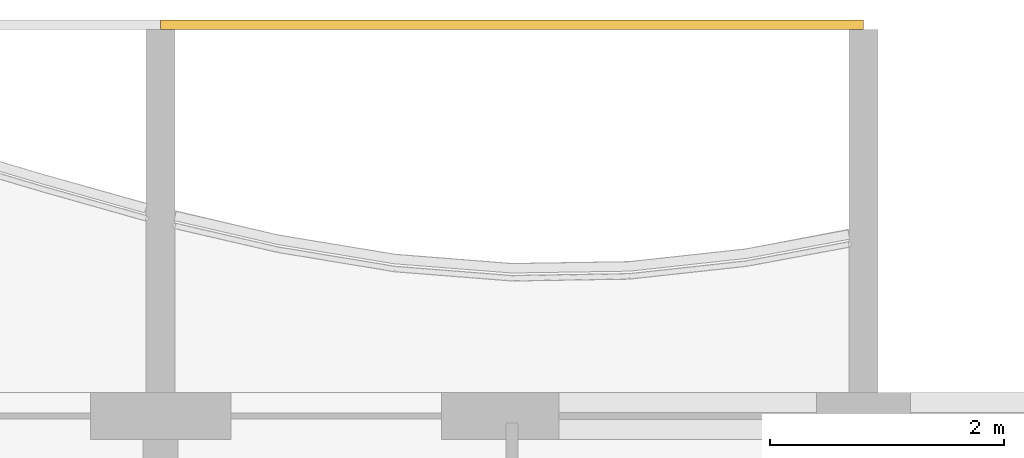
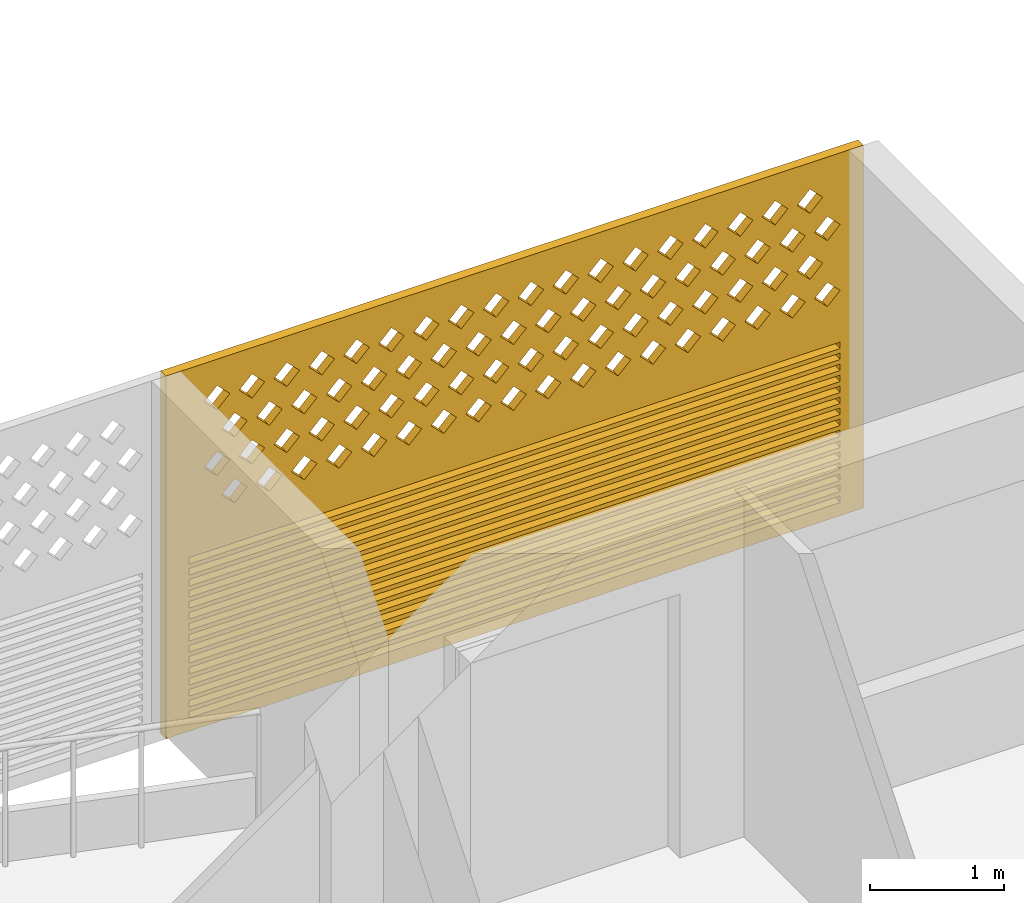
# One storey, part 30 of 32: 1 covering.
"""IFC4 building model written with IfcOpenShell, lengths in metres."""

from ifc_helpers import new_model, si_unit, direction, frame, origin, place, context, subcontext, project, spatial, polyline, outline, extrude, source, transform, mapped, material, material_profile, profile_set, type_object, element, save


model = new_model("IFC4")

# Units and contexts
model_context = context("Model", 3, precision=1e-05, world=origin(), true_north=direction((0.0, 1.0)))
body_context = subcontext(model_context, "Body", "Model", "MODEL_VIEW")
ifc_project = project(units=[si_unit("LENGTHUNIT", "METRE"), si_unit("AREAUNIT", "SQUARE_METRE"), si_unit("VOLUMEUNIT", "CUBIC_METRE"), si_unit("PLANEANGLEUNIT", "RADIAN"), si_unit("MASSUNIT", "GRAM", prefix="KILO")], contexts=[model_context])

# Site, building, storey
site_placement = place(None, origin())
site = spatial("IfcSite", under=ifc_project, at=site_placement, CompositionType="ELEMENT")
building_placement = place(site_placement, origin())
building = spatial("IfcBuilding", under=site, at=building_placement, Name="Poui Terraces", CompositionType="ELEMENT")
storey_placement = place(building_placement, frame((0.0, 0.0, 125.699951171875)))
storey = spatial("IfcBuildingStorey", under=building, at=storey_placement, Name="L34", CompositionType="ELEMENT", Elevation=125.699951171875)

# Covering
ifc_material = material(Name="Terracotta screen", Category="masonry")
ifc_material_profile = material_profile(ifc_material, outline(polyline([(-3.0, -1.64990234375), (3.0, -1.64990234375), (3.0, 1.64990234375), (-3.0, 1.64990234375), (-3.0, -1.64990234375)]), holes=[polyline([(-2.800048828125, 0.39990234375), (-2.68994140625, 0.2900390625), (-2.580078125, 0.39990234375), (-2.68994140625, 0.510009765625), (-2.800048828125, 0.39990234375)]), polyline([(-2.5, 0.39990234375), (-2.389892578125, 0.2900390625), (-2.280029296875, 0.39990234375), (-2.389892578125, 0.510009765625), (-2.5, 0.39990234375)]), polyline([(-2.199951171875, 0.39990234375), (-2.090087890625, 0.2900390625), (-1.97998046875, 0.39990234375), (-2.090087890625, 0.510009765625), (-2.199951171875, 0.39990234375)]), polyline([(-1.89990234375, 0.39990234375), (-1.7900390625, 0.2900390625), (-1.679931640625, 0.39990234375), (-1.7900390625, 0.510009765625), (-1.89990234375, 0.39990234375)]), polyline([(-1.60009765625, 0.39990234375), (-1.489990234375, 0.2900390625), (-1.3798828125, 0.39990234375), (-1.489990234375, 0.510009765625), (-1.60009765625, 0.39990234375)]), polyline([(-1.300048828125, 0.39990234375), (-1.18994140625, 0.2900390625), (-1.080078125, 0.39990234375), (-1.18994140625, 0.510009765625), (-1.300048828125, 0.39990234375)]), polyline([(-1.0, 0.39990234375), (-0.889892578125, 0.2900390625), (-0.780029296875, 0.39990234375), (-0.889892578125, 0.510009765625), (-1.0, 0.39990234375)]), polyline([(-0.699951171875, 0.39990234375), (-0.590087890625, 0.2900390625), (-0.47998046875, 0.39990234375), (-0.590087890625, 0.510009765625), (-0.699951171875, 0.39990234375)]), polyline([(-0.39990234375, 0.39990234375), (-0.2900390625, 0.2900390625), (-0.179931640625, 0.39990234375), (-0.2900390625, 0.510009765625), (-0.39990234375, 0.39990234375)]), polyline([(-0.10009765625, 0.39990234375), (0.010009765625, 0.2900390625), (0.1201171875, 0.39990234375), (0.010009765625, 0.510009765625), (-0.10009765625, 0.39990234375)]), polyline([(0.199951171875, 0.39990234375), (0.31005859375, 0.2900390625), (0.419921875, 0.39990234375), (0.31005859375, 0.510009765625), (0.199951171875, 0.39990234375)]), polyline([(0.5, 0.39990234375), (0.610107421875, 0.2900390625), (0.719970703125, 0.39990234375), (0.610107421875, 0.510009765625), (0.5, 0.39990234375)]), polyline([(0.800048828125, 0.39990234375), (0.909912109375, 0.2900390625), (1.02001953125, 0.39990234375), (0.909912109375, 0.510009765625), (0.800048828125, 0.39990234375)]), polyline([(1.10009765625, 0.39990234375), (1.2099609375, 0.2900390625), (1.320068359375, 0.39990234375), (1.2099609375, 0.510009765625), (1.10009765625, 0.39990234375)]), polyline([(1.39990234375, 0.39990234375), (1.510009765625, 0.2900390625), (1.6201171875, 0.39990234375), (1.510009765625, 0.510009765625), (1.39990234375, 0.39990234375)]), polyline([(1.699951171875, 0.39990234375), (1.81005859375, 0.2900390625), (1.919921875, 0.39990234375), (1.81005859375, 0.510009765625), (1.699951171875, 0.39990234375)]), polyline([(2.0, 0.39990234375), (2.110107421875, 0.2900390625), (2.219970703125, 0.39990234375), (2.110107421875, 0.510009765625), (2.0, 0.39990234375)]), polyline([(2.300048828125, 0.39990234375), (2.409912109375, 0.2900390625), (2.52001953125, 0.39990234375), (2.409912109375, 0.510009765625), (2.300048828125, 0.39990234375)]), polyline([(-2.64990234375, 0.699951171875), (-2.5400390625, 0.590087890625), (-2.429931640625, 0.699951171875), (-2.5400390625, 0.81005859375), (-2.64990234375, 0.699951171875)]), polyline([(-2.35009765625, 0.699951171875), (-2.239990234375, 0.590087890625), (-2.1298828125, 0.699951171875), (-2.239990234375, 0.81005859375), (-2.35009765625, 0.699951171875)]), polyline([(-2.050048828125, 0.699951171875), (-1.93994140625, 0.590087890625), (-1.830078125, 0.699951171875), (-1.93994140625, 0.81005859375), (-2.050048828125, 0.699951171875)]), polyline([(-1.75, 0.699951171875), (-1.639892578125, 0.590087890625), (-1.530029296875, 0.699951171875), (-1.639892578125, 0.81005859375), (-1.75, 0.699951171875)]), polyline([(-1.449951171875, 0.699951171875), (-1.340087890625, 0.590087890625), (-1.22998046875, 0.699951171875), (-1.340087890625, 0.81005859375), (-1.449951171875, 0.699951171875)]), polyline([(-1.14990234375, 0.699951171875), (-1.0400390625, 0.590087890625), (-0.929931640625, 0.699951171875), (-1.0400390625, 0.81005859375), (-1.14990234375, 0.699951171875)]), polyline([(-0.85009765625, 0.699951171875), (-0.739990234375, 0.590087890625), (-0.6298828125, 0.699951171875), (-0.739990234375, 0.81005859375), (-0.85009765625, 0.699951171875)]), polyline([(-0.550048828125, 0.699951171875), (-0.43994140625, 0.590087890625), (-0.330078125, 0.699951171875), (-0.43994140625, 0.81005859375), (-0.550048828125, 0.699951171875)]), polyline([(-0.25, 0.699951171875), (-0.139892578125, 0.590087890625), (-0.030029296875, 0.699951171875), (-0.139892578125, 0.81005859375), (-0.25, 0.699951171875)]), polyline([(0.050048828125, 0.699951171875), (0.159912109375, 0.590087890625), (0.27001953125, 0.699951171875), (0.159912109375, 0.81005859375), (0.050048828125, 0.699951171875)]), polyline([(0.35009765625, 0.699951171875), (0.4599609375, 0.590087890625), (0.570068359375, 0.699951171875), (0.4599609375, 0.81005859375), (0.35009765625, 0.699951171875)]), polyline([(0.64990234375, 0.699951171875), (0.760009765625, 0.590087890625), (0.8701171875, 0.699951171875), (0.760009765625, 0.81005859375), (0.64990234375, 0.699951171875)]), polyline([(0.949951171875, 0.699951171875), (1.06005859375, 0.590087890625), (1.169921875, 0.699951171875), (1.06005859375, 0.81005859375), (0.949951171875, 0.699951171875)]), polyline([(1.25, 0.699951171875), (1.360107421875, 0.590087890625), (1.469970703125, 0.699951171875), (1.360107421875, 0.81005859375), (1.25, 0.699951171875)]), polyline([(1.550048828125, 0.699951171875), (1.659912109375, 0.590087890625), (1.77001953125, 0.699951171875), (1.659912109375, 0.81005859375), (1.550048828125, 0.699951171875)]), polyline([(1.85009765625, 0.699951171875), (1.9599609375, 0.590087890625), (2.070068359375, 0.699951171875), (1.9599609375, 0.81005859375), (1.85009765625, 0.699951171875)]), polyline([(2.14990234375, 0.699951171875), (2.260009765625, 0.590087890625), (2.3701171875, 0.699951171875), (2.260009765625, 0.81005859375), (2.14990234375, 0.699951171875)]), polyline([(2.449951171875, 0.699951171875), (2.56005859375, 0.590087890625), (2.669921875, 0.699951171875), (2.56005859375, 0.81005859375), (2.449951171875, 0.699951171875)]), polyline([(-2.800048828125, 1.0), (-2.68994140625, 0.889892578125), (-2.580078125, 1.0), (-2.68994140625, 1.110107421875), (-2.800048828125, 1.0)]), polyline([(-2.5, 1.0), (-2.389892578125, 0.889892578125), (-2.280029296875, 1.0), (-2.389892578125, 1.110107421875), (-2.5, 1.0)]), polyline([(-2.199951171875, 1.0), (-2.090087890625, 0.889892578125), (-1.97998046875, 1.0), (-2.090087890625, 1.110107421875), (-2.199951171875, 1.0)]), polyline([(-1.89990234375, 1.0), (-1.7900390625, 0.889892578125), (-1.679931640625, 1.0), (-1.7900390625, 1.110107421875), (-1.89990234375, 1.0)]), polyline([(-1.60009765625, 1.0), (-1.489990234375, 0.889892578125), (-1.3798828125, 1.0), (-1.489990234375, 1.110107421875), (-1.60009765625, 1.0)]), polyline([(-1.300048828125, 1.0), (-1.18994140625, 0.889892578125), (-1.080078125, 1.0), (-1.18994140625, 1.110107421875), (-1.300048828125, 1.0)]), polyline([(-1.0, 1.0), (-0.889892578125, 0.889892578125), (-0.780029296875, 1.0), (-0.889892578125, 1.110107421875), (-1.0, 1.0)]), polyline([(-0.699951171875, 1.0), (-0.590087890625, 0.889892578125), (-0.47998046875, 1.0), (-0.590087890625, 1.110107421875), (-0.699951171875, 1.0)]), polyline([(-0.39990234375, 1.0), (-0.2900390625, 0.889892578125), (-0.179931640625, 1.0), (-0.2900390625, 1.110107421875), (-0.39990234375, 1.0)]), polyline([(-0.10009765625, 1.0), (0.010009765625, 0.889892578125), (0.1201171875, 1.0), (0.010009765625, 1.110107421875), (-0.10009765625, 1.0)]), polyline([(0.199951171875, 1.0), (0.31005859375, 0.889892578125), (0.419921875, 1.0), (0.31005859375, 1.110107421875), (0.199951171875, 1.0)]), polyline([(0.5, 1.0), (0.610107421875, 0.889892578125), (0.719970703125, 1.0), (0.610107421875, 1.110107421875), (0.5, 1.0)]), polyline([(0.800048828125, 1.0), (0.909912109375, 0.889892578125), (1.02001953125, 1.0), (0.909912109375, 1.110107421875), (0.800048828125, 1.0)]), polyline([(1.10009765625, 1.0), (1.2099609375, 0.889892578125), (1.320068359375, 1.0), (1.2099609375, 1.110107421875), (1.10009765625, 1.0)]), polyline([(1.39990234375, 1.0), (1.510009765625, 0.889892578125), (1.6201171875, 1.0), (1.510009765625, 1.110107421875), (1.39990234375, 1.0)]), polyline([(1.699951171875, 1.0), (1.81005859375, 0.889892578125), (1.919921875, 1.0), (1.81005859375, 1.110107421875), (1.699951171875, 1.0)]), polyline([(2.0, 1.0), (2.110107421875, 0.889892578125), (2.219970703125, 1.0), (2.110107421875, 1.110107421875), (2.0, 1.0)]), polyline([(2.300048828125, 1.0), (2.409912109375, 0.889892578125), (2.52001953125, 1.0), (2.409912109375, 1.110107421875), (2.300048828125, 1.0)]), polyline([(-2.64990234375, 1.300048828125), (-2.5400390625, 1.18994140625), (-2.429931640625, 1.300048828125), (-2.5400390625, 1.409912109375), (-2.64990234375, 1.300048828125)]), polyline([(-2.35009765625, 1.300048828125), (-2.239990234375, 1.18994140625), (-2.1298828125, 1.300048828125), (-2.239990234375, 1.409912109375), (-2.35009765625, 1.300048828125)]), polyline([(-2.050048828125, 1.300048828125), (-1.93994140625, 1.18994140625), (-1.830078125, 1.300048828125), (-1.93994140625, 1.409912109375), (-2.050048828125, 1.300048828125)]), polyline([(-1.75, 1.300048828125), (-1.639892578125, 1.18994140625), (-1.530029296875, 1.300048828125), (-1.639892578125, 1.409912109375), (-1.75, 1.300048828125)]), polyline([(-1.449951171875, 1.300048828125), (-1.340087890625, 1.18994140625), (-1.22998046875, 1.300048828125), (-1.340087890625, 1.409912109375), (-1.449951171875, 1.300048828125)]), polyline([(-1.14990234375, 1.300048828125), (-1.0400390625, 1.18994140625), (-0.929931640625, 1.300048828125), (-1.0400390625, 1.409912109375), (-1.14990234375, 1.300048828125)]), polyline([(-0.85009765625, 1.300048828125), (-0.739990234375, 1.18994140625), (-0.6298828125, 1.300048828125), (-0.739990234375, 1.409912109375), (-0.85009765625, 1.300048828125)]), polyline([(-0.550048828125, 1.300048828125), (-0.43994140625, 1.18994140625), (-0.330078125, 1.300048828125), (-0.43994140625, 1.409912109375), (-0.550048828125, 1.300048828125)]), polyline([(-0.25, 1.300048828125), (-0.139892578125, 1.18994140625), (-0.030029296875, 1.300048828125), (-0.139892578125, 1.409912109375), (-0.25, 1.300048828125)]), polyline([(0.050048828125, 1.300048828125), (0.159912109375, 1.18994140625), (0.27001953125, 1.300048828125), (0.159912109375, 1.409912109375), (0.050048828125, 1.300048828125)]), polyline([(0.35009765625, 1.300048828125), (0.4599609375, 1.18994140625), (0.570068359375, 1.300048828125), (0.4599609375, 1.409912109375), (0.35009765625, 1.300048828125)]), polyline([(0.64990234375, 1.300048828125), (0.760009765625, 1.18994140625), (0.8701171875, 1.300048828125), (0.760009765625, 1.409912109375), (0.64990234375, 1.300048828125)]), polyline([(0.949951171875, 1.300048828125), (1.06005859375, 1.18994140625), (1.169921875, 1.300048828125), (1.06005859375, 1.409912109375), (0.949951171875, 1.300048828125)]), polyline([(1.25, 1.300048828125), (1.360107421875, 1.18994140625), (1.469970703125, 1.300048828125), (1.360107421875, 1.409912109375), (1.25, 1.300048828125)]), polyline([(1.550048828125, 1.300048828125), (1.659912109375, 1.18994140625), (1.77001953125, 1.300048828125), (1.659912109375, 1.409912109375), (1.550048828125, 1.300048828125)]), polyline([(1.85009765625, 1.300048828125), (1.9599609375, 1.18994140625), (2.070068359375, 1.300048828125), (1.9599609375, 1.409912109375), (1.85009765625, 1.300048828125)]), polyline([(2.14990234375, 1.300048828125), (2.260009765625, 1.18994140625), (2.3701171875, 1.300048828125), (2.260009765625, 1.409912109375), (2.14990234375, 1.300048828125)]), polyline([(2.449951171875, 1.300048828125), (2.56005859375, 1.18994140625), (2.669921875, 1.300048828125), (2.56005859375, 1.409912109375), (2.449951171875, 1.300048828125)]), polyline([(-2.800048828125, -1.530029296875), (2.800048828125, -1.530029296875), (2.800048828125, -1.469970703125), (-2.800048828125, -1.469970703125), (-2.800048828125, -1.530029296875)]), polyline([(-2.800048828125, -1.429931640625), (2.800048828125, -1.429931640625), (2.800048828125, -1.3701171875), (-2.800048828125, -1.3701171875), (-2.800048828125, -1.429931640625)]), polyline([(-2.800048828125, -1.330078125), (2.800048828125, -1.330078125), (2.800048828125, -1.27001953125), (-2.800048828125, -1.27001953125), (-2.800048828125, -1.330078125)]), polyline([(-2.800048828125, -1.22998046875), (2.800048828125, -1.22998046875), (2.800048828125, -1.169921875), (-2.800048828125, -1.169921875), (-2.800048828125, -1.22998046875)]), polyline([(-2.800048828125, -1.1298828125), (2.800048828125, -1.1298828125), (2.800048828125, -1.070068359375), (-2.800048828125, -1.070068359375), (-2.800048828125, -1.1298828125)]), polyline([(-2.800048828125, -1.030029296875), (2.800048828125, -1.030029296875), (2.800048828125, -0.969970703125), (-2.800048828125, -0.969970703125), (-2.800048828125, -1.030029296875)]), polyline([(-2.800048828125, -0.929931640625), (2.800048828125, -0.929931640625), (2.800048828125, -0.8701171875), (-2.800048828125, -0.8701171875), (-2.800048828125, -0.929931640625)]), polyline([(-2.800048828125, -0.830078125), (2.800048828125, -0.830078125), (2.800048828125, -0.77001953125), (-2.800048828125, -0.77001953125), (-2.800048828125, -0.830078125)]), polyline([(-2.800048828125, -0.72998046875), (2.800048828125, -0.72998046875), (2.800048828125, -0.669921875), (-2.800048828125, -0.669921875), (-2.800048828125, -0.72998046875)]), polyline([(-2.800048828125, -0.6298828125), (2.800048828125, -0.6298828125), (2.800048828125, -0.570068359375), (-2.800048828125, -0.570068359375), (-2.800048828125, -0.6298828125)]), polyline([(-2.800048828125, -0.530029296875), (2.800048828125, -0.530029296875), (2.800048828125, -0.469970703125), (-2.800048828125, -0.469970703125), (-2.800048828125, -0.530029296875)]), polyline([(-2.800048828125, -0.429931640625), (2.800048828125, -0.429931640625), (2.800048828125, -0.3701171875), (-2.800048828125, -0.3701171875), (-2.800048828125, -0.429931640625)]), polyline([(-2.800048828125, -0.330078125), (2.800048828125, -0.330078125), (2.800048828125, -0.27001953125), (-2.800048828125, -0.27001953125), (-2.800048828125, -0.330078125)]), polyline([(-2.800048828125, -0.22998046875), (2.800048828125, -0.22998046875), (2.800048828125, -0.169921875), (-2.800048828125, -0.169921875), (-2.800048828125, -0.22998046875)]), polyline([(-2.800048828125, -0.1298828125), (2.800048828125, -0.1298828125), (2.800048828125, -0.070068359375), (-2.800048828125, -0.070068359375), (-2.800048828125, -0.1298828125)])]), Name="TERRACOTTA SCREEN AND JALOUSIE LOUVRE 6000X3300")
ifc_profile_set = profile_set([ifc_material_profile], Name="Terracotta screen")
covering_type = type_object("IfcCoveringType", Name="TERRACOTTA SCREEN AND JALOUSIE LOUVRE 6000X3300", PredefinedType="CLADDING", material=ifc_profile_set)
shared_shape = source(origin(), body_context, "Body", "SweptSolid", [
    extrude(outline(polyline([(-3.0, -1.64990234375), (3.0, -1.64990234375), (3.0, 1.64990234375), (-3.0, 1.64990234375), (-3.0, -1.64990234375)]), holes=[polyline([(-2.800048828125, 0.39990234375), (-2.68994140625, 0.2900390625), (-2.580078125, 0.39990234375), (-2.68994140625, 0.510009765625), (-2.800048828125, 0.39990234375)]), polyline([(-2.5, 0.39990234375), (-2.389892578125, 0.2900390625), (-2.280029296875, 0.39990234375), (-2.389892578125, 0.510009765625), (-2.5, 0.39990234375)]), polyline([(-2.199951171875, 0.39990234375), (-2.090087890625, 0.2900390625), (-1.97998046875, 0.39990234375), (-2.090087890625, 0.510009765625), (-2.199951171875, 0.39990234375)]), polyline([(-1.89990234375, 0.39990234375), (-1.7900390625, 0.2900390625), (-1.679931640625, 0.39990234375), (-1.7900390625, 0.510009765625), (-1.89990234375, 0.39990234375)]), polyline([(-1.60009765625, 0.39990234375), (-1.489990234375, 0.2900390625), (-1.3798828125, 0.39990234375), (-1.489990234375, 0.510009765625), (-1.60009765625, 0.39990234375)]), polyline([(-1.300048828125, 0.39990234375), (-1.18994140625, 0.2900390625), (-1.080078125, 0.39990234375), (-1.18994140625, 0.510009765625), (-1.300048828125, 0.39990234375)]), polyline([(-1.0, 0.39990234375), (-0.889892578125, 0.2900390625), (-0.780029296875, 0.39990234375), (-0.889892578125, 0.510009765625), (-1.0, 0.39990234375)]), polyline([(-0.699951171875, 0.39990234375), (-0.590087890625, 0.2900390625), (-0.47998046875, 0.39990234375), (-0.590087890625, 0.510009765625), (-0.699951171875, 0.39990234375)]), polyline([(-0.39990234375, 0.39990234375), (-0.2900390625, 0.2900390625), (-0.179931640625, 0.39990234375), (-0.2900390625, 0.510009765625), (-0.39990234375, 0.39990234375)]), polyline([(-0.10009765625, 0.39990234375), (0.010009765625, 0.2900390625), (0.1201171875, 0.39990234375), (0.010009765625, 0.510009765625), (-0.10009765625, 0.39990234375)]), polyline([(0.199951171875, 0.39990234375), (0.31005859375, 0.2900390625), (0.419921875, 0.39990234375), (0.31005859375, 0.510009765625), (0.199951171875, 0.39990234375)]), polyline([(0.5, 0.39990234375), (0.610107421875, 0.2900390625), (0.719970703125, 0.39990234375), (0.610107421875, 0.510009765625), (0.5, 0.39990234375)]), polyline([(0.800048828125, 0.39990234375), (0.909912109375, 0.2900390625), (1.02001953125, 0.39990234375), (0.909912109375, 0.510009765625), (0.800048828125, 0.39990234375)]), polyline([(1.10009765625, 0.39990234375), (1.2099609375, 0.2900390625), (1.320068359375, 0.39990234375), (1.2099609375, 0.510009765625), (1.10009765625, 0.39990234375)]), polyline([(1.39990234375, 0.39990234375), (1.510009765625, 0.2900390625), (1.6201171875, 0.39990234375), (1.510009765625, 0.510009765625), (1.39990234375, 0.39990234375)]), polyline([(1.699951171875, 0.39990234375), (1.81005859375, 0.2900390625), (1.919921875, 0.39990234375), (1.81005859375, 0.510009765625), (1.699951171875, 0.39990234375)]), polyline([(2.0, 0.39990234375), (2.110107421875, 0.2900390625), (2.219970703125, 0.39990234375), (2.110107421875, 0.510009765625), (2.0, 0.39990234375)]), polyline([(2.300048828125, 0.39990234375), (2.409912109375, 0.2900390625), (2.52001953125, 0.39990234375), (2.409912109375, 0.510009765625), (2.300048828125, 0.39990234375)]), polyline([(-2.64990234375, 0.699951171875), (-2.5400390625, 0.590087890625), (-2.429931640625, 0.699951171875), (-2.5400390625, 0.81005859375), (-2.64990234375, 0.699951171875)]), polyline([(-2.35009765625, 0.699951171875), (-2.239990234375, 0.590087890625), (-2.1298828125, 0.699951171875), (-2.239990234375, 0.81005859375), (-2.35009765625, 0.699951171875)]), polyline([(-2.050048828125, 0.699951171875), (-1.93994140625, 0.590087890625), (-1.830078125, 0.699951171875), (-1.93994140625, 0.81005859375), (-2.050048828125, 0.699951171875)]), polyline([(-1.75, 0.699951171875), (-1.639892578125, 0.590087890625), (-1.530029296875, 0.699951171875), (-1.639892578125, 0.81005859375), (-1.75, 0.699951171875)]), polyline([(-1.449951171875, 0.699951171875), (-1.340087890625, 0.590087890625), (-1.22998046875, 0.699951171875), (-1.340087890625, 0.81005859375), (-1.449951171875, 0.699951171875)]), polyline([(-1.14990234375, 0.699951171875), (-1.0400390625, 0.590087890625), (-0.929931640625, 0.699951171875), (-1.0400390625, 0.81005859375), (-1.14990234375, 0.699951171875)]), polyline([(-0.85009765625, 0.699951171875), (-0.739990234375, 0.590087890625), (-0.6298828125, 0.699951171875), (-0.739990234375, 0.81005859375), (-0.85009765625, 0.699951171875)]), polyline([(-0.550048828125, 0.699951171875), (-0.43994140625, 0.590087890625), (-0.330078125, 0.699951171875), (-0.43994140625, 0.81005859375), (-0.550048828125, 0.699951171875)]), polyline([(-0.25, 0.699951171875), (-0.139892578125, 0.590087890625), (-0.030029296875, 0.699951171875), (-0.139892578125, 0.81005859375), (-0.25, 0.699951171875)]), polyline([(0.050048828125, 0.699951171875), (0.159912109375, 0.590087890625), (0.27001953125, 0.699951171875), (0.159912109375, 0.81005859375), (0.050048828125, 0.699951171875)]), polyline([(0.35009765625, 0.699951171875), (0.4599609375, 0.590087890625), (0.570068359375, 0.699951171875), (0.4599609375, 0.81005859375), (0.35009765625, 0.699951171875)]), polyline([(0.64990234375, 0.699951171875), (0.760009765625, 0.590087890625), (0.8701171875, 0.699951171875), (0.760009765625, 0.81005859375), (0.64990234375, 0.699951171875)]), polyline([(0.949951171875, 0.699951171875), (1.06005859375, 0.590087890625), (1.169921875, 0.699951171875), (1.06005859375, 0.81005859375), (0.949951171875, 0.699951171875)]), polyline([(1.25, 0.699951171875), (1.360107421875, 0.590087890625), (1.469970703125, 0.699951171875), (1.360107421875, 0.81005859375), (1.25, 0.699951171875)]), polyline([(1.550048828125, 0.699951171875), (1.659912109375, 0.590087890625), (1.77001953125, 0.699951171875), (1.659912109375, 0.81005859375), (1.550048828125, 0.699951171875)]), polyline([(1.85009765625, 0.699951171875), (1.9599609375, 0.590087890625), (2.070068359375, 0.699951171875), (1.9599609375, 0.81005859375), (1.85009765625, 0.699951171875)]), polyline([(2.14990234375, 0.699951171875), (2.260009765625, 0.590087890625), (2.3701171875, 0.699951171875), (2.260009765625, 0.81005859375), (2.14990234375, 0.699951171875)]), polyline([(2.449951171875, 0.699951171875), (2.56005859375, 0.590087890625), (2.669921875, 0.699951171875), (2.56005859375, 0.81005859375), (2.449951171875, 0.699951171875)]), polyline([(-2.800048828125, 1.0), (-2.68994140625, 0.889892578125), (-2.580078125, 1.0), (-2.68994140625, 1.110107421875), (-2.800048828125, 1.0)]), polyline([(-2.5, 1.0), (-2.389892578125, 0.889892578125), (-2.280029296875, 1.0), (-2.389892578125, 1.110107421875), (-2.5, 1.0)]), polyline([(-2.199951171875, 1.0), (-2.090087890625, 0.889892578125), (-1.97998046875, 1.0), (-2.090087890625, 1.110107421875), (-2.199951171875, 1.0)]), polyline([(-1.89990234375, 1.0), (-1.7900390625, 0.889892578125), (-1.679931640625, 1.0), (-1.7900390625, 1.110107421875), (-1.89990234375, 1.0)]), polyline([(-1.60009765625, 1.0), (-1.489990234375, 0.889892578125), (-1.3798828125, 1.0), (-1.489990234375, 1.110107421875), (-1.60009765625, 1.0)]), polyline([(-1.300048828125, 1.0), (-1.18994140625, 0.889892578125), (-1.080078125, 1.0), (-1.18994140625, 1.110107421875), (-1.300048828125, 1.0)]), polyline([(-1.0, 1.0), (-0.889892578125, 0.889892578125), (-0.780029296875, 1.0), (-0.889892578125, 1.110107421875), (-1.0, 1.0)]), polyline([(-0.699951171875, 1.0), (-0.590087890625, 0.889892578125), (-0.47998046875, 1.0), (-0.590087890625, 1.110107421875), (-0.699951171875, 1.0)]), polyline([(-0.39990234375, 1.0), (-0.2900390625, 0.889892578125), (-0.179931640625, 1.0), (-0.2900390625, 1.110107421875), (-0.39990234375, 1.0)]), polyline([(-0.10009765625, 1.0), (0.010009765625, 0.889892578125), (0.1201171875, 1.0), (0.010009765625, 1.110107421875), (-0.10009765625, 1.0)]), polyline([(0.199951171875, 1.0), (0.31005859375, 0.889892578125), (0.419921875, 1.0), (0.31005859375, 1.110107421875), (0.199951171875, 1.0)]), polyline([(0.5, 1.0), (0.610107421875, 0.889892578125), (0.719970703125, 1.0), (0.610107421875, 1.110107421875), (0.5, 1.0)]), polyline([(0.800048828125, 1.0), (0.909912109375, 0.889892578125), (1.02001953125, 1.0), (0.909912109375, 1.110107421875), (0.800048828125, 1.0)]), polyline([(1.10009765625, 1.0), (1.2099609375, 0.889892578125), (1.320068359375, 1.0), (1.2099609375, 1.110107421875), (1.10009765625, 1.0)]), polyline([(1.39990234375, 1.0), (1.510009765625, 0.889892578125), (1.6201171875, 1.0), (1.510009765625, 1.110107421875), (1.39990234375, 1.0)]), polyline([(1.699951171875, 1.0), (1.81005859375, 0.889892578125), (1.919921875, 1.0), (1.81005859375, 1.110107421875), (1.699951171875, 1.0)]), polyline([(2.0, 1.0), (2.110107421875, 0.889892578125), (2.219970703125, 1.0), (2.110107421875, 1.110107421875), (2.0, 1.0)]), polyline([(2.300048828125, 1.0), (2.409912109375, 0.889892578125), (2.52001953125, 1.0), (2.409912109375, 1.110107421875), (2.300048828125, 1.0)]), polyline([(-2.64990234375, 1.300048828125), (-2.5400390625, 1.18994140625), (-2.429931640625, 1.300048828125), (-2.5400390625, 1.409912109375), (-2.64990234375, 1.300048828125)]), polyline([(-2.35009765625, 1.300048828125), (-2.239990234375, 1.18994140625), (-2.1298828125, 1.300048828125), (-2.239990234375, 1.409912109375), (-2.35009765625, 1.300048828125)]), polyline([(-2.050048828125, 1.300048828125), (-1.93994140625, 1.18994140625), (-1.830078125, 1.300048828125), (-1.93994140625, 1.409912109375), (-2.050048828125, 1.300048828125)]), polyline([(-1.75, 1.300048828125), (-1.639892578125, 1.18994140625), (-1.530029296875, 1.300048828125), (-1.639892578125, 1.409912109375), (-1.75, 1.300048828125)]), polyline([(-1.449951171875, 1.300048828125), (-1.340087890625, 1.18994140625), (-1.22998046875, 1.300048828125), (-1.340087890625, 1.409912109375), (-1.449951171875, 1.300048828125)]), polyline([(-1.14990234375, 1.300048828125), (-1.0400390625, 1.18994140625), (-0.929931640625, 1.300048828125), (-1.0400390625, 1.409912109375), (-1.14990234375, 1.300048828125)]), polyline([(-0.85009765625, 1.300048828125), (-0.739990234375, 1.18994140625), (-0.6298828125, 1.300048828125), (-0.739990234375, 1.409912109375), (-0.85009765625, 1.300048828125)]), polyline([(-0.550048828125, 1.300048828125), (-0.43994140625, 1.18994140625), (-0.330078125, 1.300048828125), (-0.43994140625, 1.409912109375), (-0.550048828125, 1.300048828125)]), polyline([(-0.25, 1.300048828125), (-0.139892578125, 1.18994140625), (-0.030029296875, 1.300048828125), (-0.139892578125, 1.409912109375), (-0.25, 1.300048828125)]), polyline([(0.050048828125, 1.300048828125), (0.159912109375, 1.18994140625), (0.27001953125, 1.300048828125), (0.159912109375, 1.409912109375), (0.050048828125, 1.300048828125)]), polyline([(0.35009765625, 1.300048828125), (0.4599609375, 1.18994140625), (0.570068359375, 1.300048828125), (0.4599609375, 1.409912109375), (0.35009765625, 1.300048828125)]), polyline([(0.64990234375, 1.300048828125), (0.760009765625, 1.18994140625), (0.8701171875, 1.300048828125), (0.760009765625, 1.409912109375), (0.64990234375, 1.300048828125)]), polyline([(0.949951171875, 1.300048828125), (1.06005859375, 1.18994140625), (1.169921875, 1.300048828125), (1.06005859375, 1.409912109375), (0.949951171875, 1.300048828125)]), polyline([(1.25, 1.300048828125), (1.360107421875, 1.18994140625), (1.469970703125, 1.300048828125), (1.360107421875, 1.409912109375), (1.25, 1.300048828125)]), polyline([(1.550048828125, 1.300048828125), (1.659912109375, 1.18994140625), (1.77001953125, 1.300048828125), (1.659912109375, 1.409912109375), (1.550048828125, 1.300048828125)]), polyline([(1.85009765625, 1.300048828125), (1.9599609375, 1.18994140625), (2.070068359375, 1.300048828125), (1.9599609375, 1.409912109375), (1.85009765625, 1.300048828125)]), polyline([(2.14990234375, 1.300048828125), (2.260009765625, 1.18994140625), (2.3701171875, 1.300048828125), (2.260009765625, 1.409912109375), (2.14990234375, 1.300048828125)]), polyline([(2.449951171875, 1.300048828125), (2.56005859375, 1.18994140625), (2.669921875, 1.300048828125), (2.56005859375, 1.409912109375), (2.449951171875, 1.300048828125)]), polyline([(-2.800048828125, -1.530029296875), (2.800048828125, -1.530029296875), (2.800048828125, -1.469970703125), (-2.800048828125, -1.469970703125), (-2.800048828125, -1.530029296875)]), polyline([(-2.800048828125, -1.429931640625), (2.800048828125, -1.429931640625), (2.800048828125, -1.3701171875), (-2.800048828125, -1.3701171875), (-2.800048828125, -1.429931640625)]), polyline([(-2.800048828125, -1.330078125), (2.800048828125, -1.330078125), (2.800048828125, -1.27001953125), (-2.800048828125, -1.27001953125), (-2.800048828125, -1.330078125)]), polyline([(-2.800048828125, -1.22998046875), (2.800048828125, -1.22998046875), (2.800048828125, -1.169921875), (-2.800048828125, -1.169921875), (-2.800048828125, -1.22998046875)]), polyline([(-2.800048828125, -1.1298828125), (2.800048828125, -1.1298828125), (2.800048828125, -1.070068359375), (-2.800048828125, -1.070068359375), (-2.800048828125, -1.1298828125)]), polyline([(-2.800048828125, -1.030029296875), (2.800048828125, -1.030029296875), (2.800048828125, -0.969970703125), (-2.800048828125, -0.969970703125), (-2.800048828125, -1.030029296875)]), polyline([(-2.800048828125, -0.929931640625), (2.800048828125, -0.929931640625), (2.800048828125, -0.8701171875), (-2.800048828125, -0.8701171875), (-2.800048828125, -0.929931640625)]), polyline([(-2.800048828125, -0.830078125), (2.800048828125, -0.830078125), (2.800048828125, -0.77001953125), (-2.800048828125, -0.77001953125), (-2.800048828125, -0.830078125)]), polyline([(-2.800048828125, -0.72998046875), (2.800048828125, -0.72998046875), (2.800048828125, -0.669921875), (-2.800048828125, -0.669921875), (-2.800048828125, -0.72998046875)]), polyline([(-2.800048828125, -0.6298828125), (2.800048828125, -0.6298828125), (2.800048828125, -0.570068359375), (-2.800048828125, -0.570068359375), (-2.800048828125, -0.6298828125)]), polyline([(-2.800048828125, -0.530029296875), (2.800048828125, -0.530029296875), (2.800048828125, -0.469970703125), (-2.800048828125, -0.469970703125), (-2.800048828125, -0.530029296875)]), polyline([(-2.800048828125, -0.429931640625), (2.800048828125, -0.429931640625), (2.800048828125, -0.3701171875), (-2.800048828125, -0.3701171875), (-2.800048828125, -0.429931640625)]), polyline([(-2.800048828125, -0.330078125), (2.800048828125, -0.330078125), (2.800048828125, -0.27001953125), (-2.800048828125, -0.27001953125), (-2.800048828125, -0.330078125)]), polyline([(-2.800048828125, -0.22998046875), (2.800048828125, -0.22998046875), (2.800048828125, -0.169921875), (-2.800048828125, -0.169921875), (-2.800048828125, -0.22998046875)]), polyline([(-2.800048828125, -0.1298828125), (2.800048828125, -0.1298828125), (2.800048828125, -0.070068359375), (-2.800048828125, -0.070068359375), (-2.800048828125, -0.1298828125)])]), origin(), (0.0, 0.0, 1.0), 0.080078125),
])
covering_placement = place(storey_placement, frame((69.0, 45.699951171875, 1.449951171875), z_axis=(0.0, 1.0, 0.0), x_axis=(-1.0, 0.0, 0.0)))
element("IfcCovering", 1, at=covering_placement, inside=storey, type_object=covering_type, Name="SOLAR SCREEN AND JALOUSIE LOUVRE", PredefinedType="CLADDING", context=body_context, shape_type="MappedRepresentation", body=[
    mapped(shared_shape, transform((0.0, 0.0, 0.0))),
])

save(model, "model.ifc")
